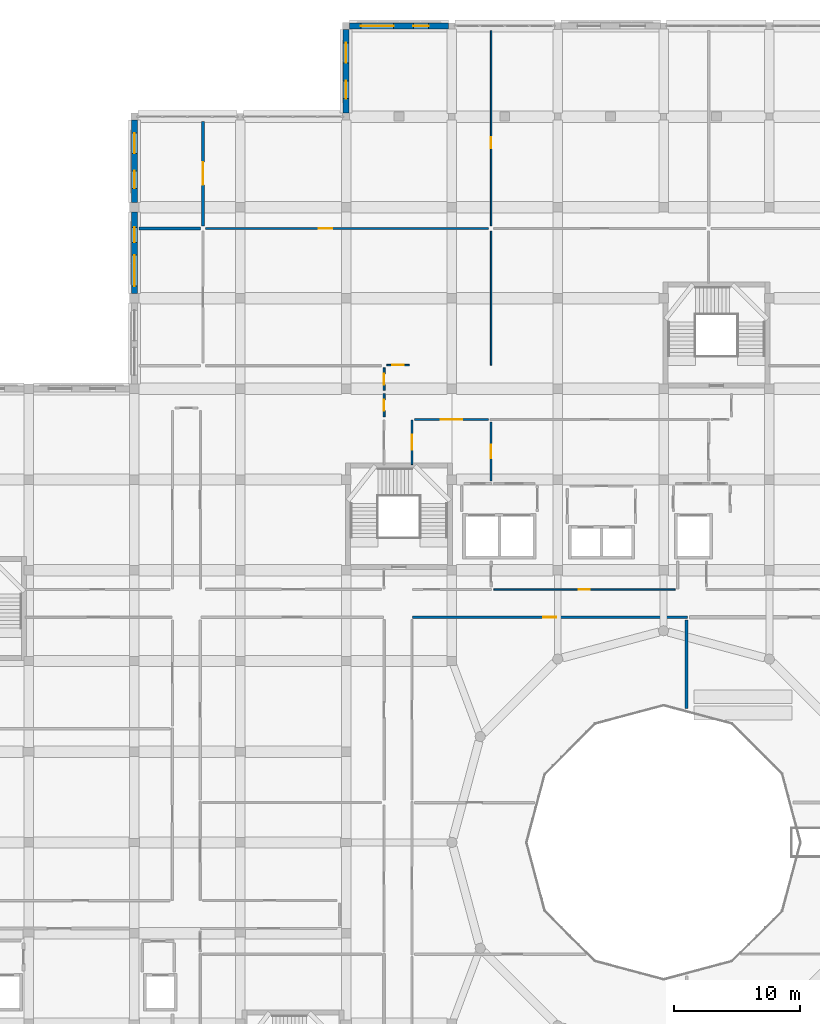
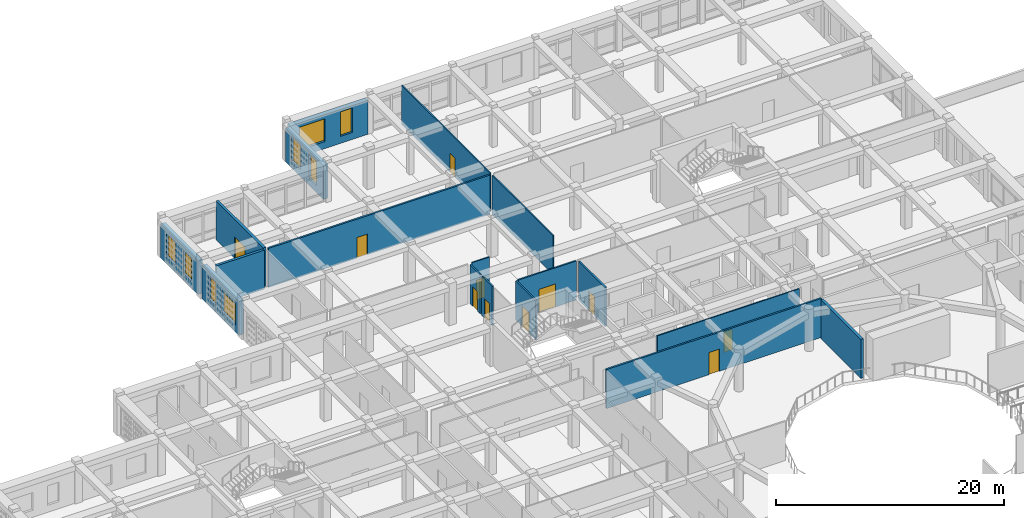
# One storey, part 82 of 121: 18 walls, 11 doors, 8 windows, 19 openings.
"""IFC4 building model written with IfcOpenShell, lengths in metres."""

from ifc_helpers import new_model, si_unit, derived_unit, direction, frame, frame_2d, origin, place, context, subcontext, project, spatial, rectangle, extrude, material, layer, layer_set, type_object, element, fill, save


model = new_model("IFC4")

# Units and contexts
model_context = context("Model", 3, precision=1e-05, world=origin(), true_north=direction((0.0, 1.0)))
body_context = subcontext(model_context, "Body", "Model", "MODEL_VIEW")
ifc_project = project(units=[si_unit("LENGTHUNIT", "METRE"), si_unit("AREAUNIT", "SQUARE_METRE"), si_unit("VOLUMEUNIT", "CUBIC_METRE"), si_unit("PLANEANGLEUNIT", "RADIAN"), si_unit("MASSUNIT", "GRAM", prefix="KILO"), derived_unit("THERMALTRANSMITTANCEUNIT", [(si_unit("POWERUNIT", "WATT"), 1), (si_unit("LENGTHUNIT", "METRE"), -2), (si_unit("THERMODYNAMICTEMPERATUREUNIT", "KELVIN"), -1)])], contexts=[model_context])

# Site, building, storey
site_placement = place(None, origin())
site = spatial("IfcSite", under=ifc_project, at=site_placement, CompositionType="ELEMENT")
building_placement = place(site_placement, origin())
building = spatial("IfcBuilding", under=site, at=building_placement, Name="Veybourne Emporium", CompositionType="ELEMENT")
storey_placement = place(building_placement, frame((0.0, 0.0, 5.39990234375)))
storey = spatial("IfcBuildingStorey", under=building, at=storey_placement, Name="L01", CompositionType="ELEMENT", Elevation=5.39990234375)

# Wall, openings, windows
ifc_material_1 = material(Name="Portland Limestone Ashlar", Category="masonry")
ifc_layer_1 = layer(ifc_material_1, 0.47998046875)
ifc_layer_set_1 = layer_set([ifc_layer_1], Name="Portland Limestone Ashlar")
wall_type_1 = type_object("IfcWallType", Name="ExtWall_EW-01", PredefinedType="SOLIDWALL", material=ifc_layer_set_1)
wall_1_placement = place(storey_placement, frame((33.60009765625, 93.97509765625, 0.0), z_axis=(0.0, 0.0, 1.0), x_axis=(0.0, 1.0, 0.0)))
wall_1 = element("IfcWall", 1, at=wall_1_placement, inside=storey, type_object=wall_type_1, Name="L01 Portland stone external wall 023", PredefinedType="SOLIDWALL", context=body_context, shape_type="SweptSolid", body=[
    extrude(rectangle(XDim=6.449951171875, YDim=0.47998046875, at=frame_2d((3.22509765625, 0.0))), origin(), (0.0, 0.0, 1.0), 3.630126953125),
])
opening_1_placement = place(wall_1_placement, frame((0.5810546875, 0.0, 0.75)))
opening_1 = element("IfcOpeningElement", 2, at=opening_1_placement, cuts=wall_1, Name="Opening W-24", PredefinedType="OPENING", context=body_context, shape_type="SweptSolid", body=[
    extrude(rectangle(XDim=2.449951171875, YDim=2.260009765625, at=frame_2d((1.22509765625, 1.1298828125))), frame((0.0, 0.260009765625, 0.0), z_axis=(0.0, -1.0, 0.0), x_axis=(1.0, 0.0, 0.0)), (0.0, 0.0, 1.0), 0.52001953125),
])
opening_2_placement = place(wall_1_placement, frame((4.0439453125, 0.0, 0.75)))
opening_2 = element("IfcOpeningElement", 3, at=opening_2_placement, cuts=wall_1, Name="Opening W-25", PredefinedType="OPENING", context=body_context, shape_type="SweptSolid", body=[
    extrude(rectangle(XDim=1.199951171875, YDim=2.43994140625, at=frame_2d((0.60009765625, 1.219970703125))), frame((0.0, 0.260009765625, 0.0), z_axis=(0.0, -1.0, 0.0), x_axis=(1.0, 0.0, 0.0)), (0.0, 0.0, 1.0), 0.52001953125),
])
ifc_material_2 = material(Name="Low-E Triple Glazing", Category="glass")
window_type_1 = type_object("IfcWindowType", Name="Win_W-24", PartitioningType="TRIPLE_PANEL_VERTICAL", PredefinedType="WINDOW", material=ifc_material_2)
window_1_placement = place(opening_1_placement, origin())
window_1 = element("IfcWindow", 4, at=window_1_placement, inside=storey, type_object=window_type_1, Name="L01 tripartite bronze casement window W-24 (23.1)", OverallHeight=2.260009765625, OverallWidth=2.449951171875, PartitioningType="TRIPLE_PANEL_VERTICAL", PredefinedType="WINDOW", context=body_context, shape_type="SweptSolid", body=[
    extrude(rectangle(XDim=2.449951171875, YDim=2.260009765625, at=frame_2d((1.22509765625, 1.1298828125))), frame((0.0, 0.030029296875, 0.0), z_axis=(0.0, -1.0, 0.0), x_axis=(1.0, 0.0, 0.0)), (0.0, 0.0, 1.0), 0.06005859375),
])
fill(opening_1, window_1)
window_type_2 = type_object("IfcWindowType", Name="Win_W-25", PartitioningType="SINGLE_PANEL", PredefinedType="WINDOW", material=ifc_material_2)
window_2_placement = place(opening_2_placement, origin())
window_2 = element("IfcWindow", 5, at=window_2_placement, inside=storey, type_object=window_type_2, Name="L01 tripartite bronze casement window W-25 (23.2)", OverallHeight=2.43994140625, OverallWidth=1.199951171875, PartitioningType="SINGLE_PANEL", PredefinedType="WINDOW", context=body_context, shape_type="SweptSolid", body=[
    extrude(rectangle(XDim=1.199951171875, YDim=2.43994140625, at=frame_2d((0.60009765625, 1.219970703125))), frame((0.0, 0.030029296875, 0.0), z_axis=(0.0, -1.0, 0.0), x_axis=(1.0, 0.0, 0.0)), (0.0, 0.0, 1.0), 0.06005859375),
])
fill(opening_2, window_2)

wall_2_placement = place(storey_placement, frame((33.60009765625, 101.175048828125, 0.0), z_axis=(0.0, 0.0, 1.0), x_axis=(0.0, 1.0, 0.0)))
wall_2 = element("IfcWall", 6, at=wall_2_placement, inside=storey, type_object=wall_type_1, Name="L01 Portland stone external wall 025", PredefinedType="SOLIDWALL", context=body_context, shape_type="SweptSolid", body=[
    extrude(rectangle(XDim=6.550048828125, YDim=0.47998046875, at=frame_2d((3.27490234375, 0.0))), origin(), (0.0, 0.0, 1.0), 3.630126953125),
])
opening_3_placement = place(wall_2_placement, frame((1.134033203125, 0.0, 0.75)))
opening_3 = element("IfcOpeningElement", 7, at=opening_3_placement, cuts=wall_2, Name="Opening W-26", PredefinedType="OPENING", context=body_context, shape_type="SweptSolid", body=[
    extrude(rectangle(XDim=1.39990234375, YDim=2.43994140625, at=frame_2d((0.699951171875, 1.219970703125))), frame((0.0, 0.260009765625, 0.0), z_axis=(0.0, -1.0, 0.0), x_axis=(1.0, 0.0, 0.0)), (0.0, 0.0, 1.0), 0.52001953125),
])
opening_4_placement = place(wall_2_placement, frame((3.916015625, 0.0, 0.75)))
opening_4 = element("IfcOpeningElement", 8, at=opening_4_placement, cuts=wall_2, Name="Opening W-27", PredefinedType="OPENING", context=body_context, shape_type="SweptSolid", body=[
    extrude(rectangle(XDim=1.60009765625, YDim=2.43994140625, at=frame_2d((0.800048828125, 1.219970703125))), frame((0.0, 0.260009765625, 0.0), z_axis=(0.0, -1.0, 0.0), x_axis=(1.0, 0.0, 0.0)), (0.0, 0.0, 1.0), 0.52001953125),
])
window_type_3 = type_object("IfcWindowType", Name="Win_W-26", PartitioningType="DOUBLE_PANEL_VERTICAL", PredefinedType="WINDOW", material=ifc_material_2)
window_3_placement = place(opening_3_placement, origin())
window_3 = element("IfcWindow", 9, at=window_3_placement, inside=storey, type_object=window_type_3, Name="L01 tripartite bronze casement window W-26 (25.1)", OverallHeight=2.43994140625, OverallWidth=1.39990234375, PartitioningType="DOUBLE_PANEL_VERTICAL", PredefinedType="WINDOW", context=body_context, shape_type="SweptSolid", body=[
    extrude(rectangle(XDim=1.39990234375, YDim=2.43994140625, at=frame_2d((0.699951171875, 1.219970703125))), frame((0.0, 0.030029296875, 0.0), z_axis=(0.0, -1.0, 0.0), x_axis=(1.0, 0.0, 0.0)), (0.0, 0.0, 1.0), 0.06005859375),
])
fill(opening_3, window_3)
window_type_4 = type_object("IfcWindowType", Name="Win_W-27", PartitioningType="DOUBLE_PANEL_VERTICAL", PredefinedType="WINDOW", material=ifc_material_2)
window_4_placement = place(opening_4_placement, origin())
window_4 = element("IfcWindow", 10, at=window_4_placement, inside=storey, type_object=window_type_4, Name="L01 tripartite bronze casement window W-27 (25.2)", OverallHeight=2.43994140625, OverallWidth=1.60009765625, PartitioningType="DOUBLE_PANEL_VERTICAL", PredefinedType="WINDOW", context=body_context, shape_type="SweptSolid", body=[
    extrude(rectangle(XDim=1.60009765625, YDim=2.43994140625, at=frame_2d((0.800048828125, 1.219970703125))), frame((0.0, 0.030029296875, 0.0), z_axis=(0.0, -1.0, 0.0), x_axis=(1.0, 0.0, 0.0)), (0.0, 0.0, 1.0), 0.06005859375),
])
fill(opening_4, window_4)

wall_3_placement = place(storey_placement, frame((50.675048828125, 115.199951171875, 0.0), z_axis=(0.0, 0.0, 1.0), x_axis=(1.0, 0.0, 0.0)))
wall_3 = element("IfcWall", 11, at=wall_3_placement, inside=storey, type_object=wall_type_1, Name="L01 Portland stone external wall 031", PredefinedType="SOLIDWALL", context=body_context, shape_type="SweptSolid", body=[
    extrude(rectangle(XDim=7.875, YDim=0.47998046875, at=frame_2d((3.9375, 0.0))), origin(), (0.0, 0.0, 1.0), 3.630126953125),
])
opening_5_placement = place(wall_3_placement, frame((0.905029296875, 0.0, 0.75)))
opening_5 = element("IfcOpeningElement", 12, at=opening_5_placement, cuts=wall_3, Name="Opening W-32", PredefinedType="OPENING", context=body_context, shape_type="SweptSolid", body=[
    extrude(rectangle(XDim=2.60009765625, YDim=2.43994140625, at=frame_2d((1.300048828125, 1.219970703125))), frame((0.0, 0.260009765625, 0.0), z_axis=(0.0, -1.0, 0.0), x_axis=(1.0, 0.0, 0.0)), (0.0, 0.0, 1.0), 0.52001953125),
])
opening_6_placement = place(wall_3_placement, frame((5.070068359375, 0.0, 0.75)))
opening_6 = element("IfcOpeningElement", 13, at=opening_6_placement, cuts=wall_3, Name="Opening W-33", PredefinedType="OPENING", context=body_context, shape_type="SweptSolid", body=[
    extrude(rectangle(XDim=1.199951171875, YDim=2.6201171875, at=frame_2d((0.60009765625, 1.31005859375))), frame((0.0, 0.260009765625, 0.0), z_axis=(0.0, -1.0, 0.0), x_axis=(1.0, 0.0, 0.0)), (0.0, 0.0, 1.0), 0.52001953125),
])
window_type_5 = type_object("IfcWindowType", Name="Win_W-32", PartitioningType="TRIPLE_PANEL_VERTICAL", PredefinedType="WINDOW", material=ifc_material_2)
window_5_placement = place(opening_5_placement, origin())
window_5 = element("IfcWindow", 14, at=window_5_placement, inside=storey, type_object=window_type_5, Name="L01 tripartite bronze casement window W-32 (31.1)", OverallHeight=2.43994140625, OverallWidth=2.60009765625, PartitioningType="TRIPLE_PANEL_VERTICAL", PredefinedType="WINDOW", context=body_context, shape_type="SweptSolid", body=[
    extrude(rectangle(XDim=2.60009765625, YDim=2.43994140625, at=frame_2d((1.300048828125, 1.219970703125))), frame((0.0, 0.030029296875, 0.0), z_axis=(0.0, -1.0, 0.0), x_axis=(1.0, 0.0, 0.0)), (0.0, 0.0, 1.0), 0.06005859375),
])
fill(opening_5, window_5)
window_type_6 = type_object("IfcWindowType", Name="Win_W-33", PartitioningType="SINGLE_PANEL", PredefinedType="WINDOW", material=ifc_material_2)
window_6_placement = place(opening_6_placement, origin())
window_6 = element("IfcWindow", 15, at=window_6_placement, inside=storey, type_object=window_type_6, Name="L01 tripartite bronze casement window W-33 (31.2)", OverallHeight=2.6201171875, OverallWidth=1.199951171875, PartitioningType="SINGLE_PANEL", PredefinedType="WINDOW", context=body_context, shape_type="SweptSolid", body=[
    extrude(rectangle(XDim=1.199951171875, YDim=2.6201171875, at=frame_2d((0.60009765625, 1.31005859375))), frame((0.0, 0.030029296875, 0.0), z_axis=(0.0, -1.0, 0.0), x_axis=(1.0, 0.0, 0.0)), (0.0, 0.0, 1.0), 0.06005859375),
])
fill(opening_6, window_6)

wall_4_placement = place(storey_placement, frame((50.39990234375, 108.27490234375, 0.0), z_axis=(0.0, 0.0, 1.0), x_axis=(0.0, 1.0, 0.0)))
wall_4 = element("IfcWall", 16, at=wall_4_placement, inside=storey, type_object=wall_type_1, Name="L01 Portland stone external wall 032", PredefinedType="SOLIDWALL", context=body_context, shape_type="SweptSolid", body=[
    extrude(rectangle(XDim=6.650146484375, YDim=0.47998046875, at=frame_2d((3.3251953125, 0.0))), origin(), (0.0, 0.0, 1.0), 3.630126953125),
])
opening_7_placement = place(wall_4_placement, frame((1.162109375, 0.0, 0.75)))
opening_7 = element("IfcOpeningElement", 17, at=opening_7_placement, cuts=wall_4, Name="Opening W-34", PredefinedType="OPENING", context=body_context, shape_type="SweptSolid", body=[
    extrude(rectangle(XDim=1.39990234375, YDim=2.6201171875, at=frame_2d((0.699951171875, 1.31005859375))), frame((0.0, 0.260009765625, 0.0), z_axis=(0.0, -1.0, 0.0), x_axis=(1.0, 0.0, 0.0)), (0.0, 0.0, 1.0), 0.52001953125),
])
opening_8_placement = place(wall_4_placement, frame((3.988037109375, 0.0, 0.75)))
opening_8 = element("IfcOpeningElement", 18, at=opening_8_placement, cuts=wall_4, Name="Opening W-35", PredefinedType="OPENING", context=body_context, shape_type="SweptSolid", body=[
    extrude(rectangle(XDim=1.60009765625, YDim=2.6201171875, at=frame_2d((0.800048828125, 1.31005859375))), frame((0.0, 0.260009765625, 0.0), z_axis=(0.0, -1.0, 0.0), x_axis=(1.0, 0.0, 0.0)), (0.0, 0.0, 1.0), 0.52001953125),
])
window_type_7 = type_object("IfcWindowType", Name="Win_W-34", PartitioningType="DOUBLE_PANEL_VERTICAL", PredefinedType="WINDOW", material=ifc_material_2)
window_7_placement = place(opening_7_placement, origin())
window_7 = element("IfcWindow", 19, at=window_7_placement, inside=storey, type_object=window_type_7, Name="L01 tripartite bronze casement window W-34 (32.1)", OverallHeight=2.6201171875, OverallWidth=1.39990234375, PartitioningType="DOUBLE_PANEL_VERTICAL", PredefinedType="WINDOW", context=body_context, shape_type="SweptSolid", body=[
    extrude(rectangle(XDim=1.39990234375, YDim=2.6201171875, at=frame_2d((0.699951171875, 1.31005859375))), frame((0.0, 0.030029296875, 0.0), z_axis=(0.0, -1.0, 0.0), x_axis=(1.0, 0.0, 0.0)), (0.0, 0.0, 1.0), 0.06005859375),
])
fill(opening_7, window_7)
window_type_8 = type_object("IfcWindowType", Name="Win_W-35", PartitioningType="DOUBLE_PANEL_VERTICAL", PredefinedType="WINDOW", material=ifc_material_2)
window_8_placement = place(opening_8_placement, origin())
window_8 = element("IfcWindow", 20, at=window_8_placement, inside=storey, type_object=window_type_8, Name="L01 tripartite bronze casement window W-35 (32.2)", OverallHeight=2.6201171875, OverallWidth=1.60009765625, PartitioningType="DOUBLE_PANEL_VERTICAL", PredefinedType="WINDOW", context=body_context, shape_type="SweptSolid", body=[
    extrude(rectangle(XDim=1.60009765625, YDim=2.6201171875, at=frame_2d((0.800048828125, 1.31005859375))), frame((0.0, 0.030029296875, 0.0), z_axis=(0.0, -1.0, 0.0), x_axis=(1.0, 0.0, 0.0)), (0.0, 0.0, 1.0), 0.06005859375),
])
fill(opening_8, window_8)

# Wall, opening, door
ifc_material_3 = material(Name="Concrete C32/40", Category="concrete")
ifc_layer_2 = layer(ifc_material_3, 0.25)
ifc_layer_set_2 = layer_set([ifc_layer_2], Name="Concrete C32/40")
wall_type_2 = type_object("IfcWallType", Name="IntWall_FW-01", PredefinedType="SOLIDWALL", material=ifc_layer_set_2)
wall_5_placement = place(storey_placement, frame((39.048095703125, 99.340087890625, 0.0), z_axis=(0.0, 0.0, 1.0), x_axis=(0.0, 1.0, 0.0)))
wall_5 = element("IfcWall", 21, at=wall_5_placement, inside=storey, type_object=wall_type_2, Name="L01 interior partition FW-01 #186", PredefinedType="SOLIDWALL", context=body_context, shape_type="SweptSolid", body=[
    extrude(rectangle(XDim=8.289794921875, YDim=0.25, at=frame_2d((4.14501953125, 0.0))), origin(), (0.0, 0.0, 1.0), 4.18017578125),
])
opening_9_placement = place(wall_5_placement, frame((3.2451171875, 0.0, 0.0)))
opening_9 = element("IfcOpeningElement", 22, at=opening_9_placement, cuts=wall_5, Name="Opening FD-03", PredefinedType="OPENING", context=body_context, shape_type="SweptSolid", body=[
    extrude(rectangle(XDim=1.800048828125, YDim=2.300048828125, at=frame_2d((0.89990234375, 1.14990234375))), frame((0.0, 0.14501953125, 0.0), z_axis=(0.0, -1.0, 0.0), x_axis=(1.0, 0.0, 0.0)), (0.0, 0.0, 1.0), 0.2900390625),
])
ifc_material_4 = material(Name="Patinated Architectural Bronze", Category="bronze")
door_type_1 = type_object("IfcDoorType", Name="FireDoor_FD-03", OperationType="DOUBLE_DOOR_SINGLE_SWING", PredefinedType="DOOR", material=ifc_material_4)
door_1_placement = place(opening_9_placement, origin())
door_1 = element("IfcDoor", 23, at=door_1_placement, inside=storey, type_object=door_type_1, Name="L01 interior door FD-03 (PART-L01-186)", OperationType="DOUBLE_DOOR_SINGLE_SWING", OverallHeight=2.300048828125, OverallWidth=1.800048828125, PredefinedType="DOOR", context=body_context, shape_type="SweptSolid", body=[
    extrude(rectangle(XDim=1.800048828125, YDim=2.300048828125, at=frame_2d((0.89990234375, 1.14990234375))), frame((0.0, 0.02490234375, 0.0), z_axis=(0.0, -1.0, 0.0), x_axis=(1.0, 0.0, 0.0)), (0.0, 0.0, 1.0), 0.050048828125),
])
fill(opening_9, door_1)

# Walls
wall_6_placement = place(storey_placement, frame((77.429931640625, 61.01611328125, 0.0), z_axis=(0.0, 0.0, 1.0), x_axis=(0.0, 1.0, 0.0)))
element("IfcWall", 24, at=wall_6_placement, inside=storey, type_object=wall_type_2, Name="L01 interior partition FW-01 #188", PredefinedType="SOLIDWALL", context=body_context, shape_type="SweptSolid", body=[
    extrude(rectangle(XDim=7.0439453125, YDim=0.25, at=frame_2d((3.52197265625, 0.0))), origin(), (0.0, 0.0, 1.0), 4.18017578125),
])
wall_7_placement = place(storey_placement, frame((33.969970703125, 99.1298828125, 0.0), z_axis=(0.0, 0.0, 1.0), x_axis=(1.0, 0.0, 0.0)))
element("IfcWall", 25, at=wall_7_placement, inside=storey, type_object=wall_type_2, Name="L01 interior partition FW-01 #194", PredefinedType="SOLIDWALL", context=body_context, shape_type="SweptSolid", body=[
    extrude(rectangle(XDim=4.867919921875, YDim=0.25, at=frame_2d((2.43408203125, 0.0))), origin(), (0.0, 0.0, 1.0), 4.18017578125),
])

# Wall, opening, door
ifc_material_5 = material(Name="Gypsum Acoustic Board", Category="gypsum")
ifc_layer_3 = layer(ifc_material_5, 0.179931640625)
ifc_layer_set_3 = layer_set([ifc_layer_3], Name="Gypsum Acoustic Board")
wall_type_3 = type_object("IfcWallType", Name="IntWall_IW-01", PredefinedType="PARTITIONING", material=ifc_layer_set_3)
wall_8_placement = place(storey_placement, frame((55.679931640625, 68.27001953125, 0.0), z_axis=(0.0, 0.0, 1.0), x_axis=(1.0, 0.0, 0.0)))
wall_8 = element("IfcWall", 26, at=wall_8_placement, inside=storey, type_object=wall_type_3, Name="L01 interior partition IW-01 #001", PredefinedType="PARTITIONING", context=body_context, shape_type="SweptSolid", body=[
    extrude(rectangle(XDim=21.800048828125, YDim=0.179931640625, at=frame_2d((10.89990234375, 0.0))), origin(), (0.0, 0.0, 1.0), 4.18017578125),
])
opening_10_placement = place(wall_8_placement, frame((10.3798828125, 0.0, 0.0)))
opening_10 = element("IfcOpeningElement", 27, at=opening_10_placement, cuts=wall_8, Name="Opening D-26", PredefinedType="OPENING", context=body_context, shape_type="SweptSolid", body=[
    extrude(rectangle(XDim=1.0400390625, YDim=2.3701171875, at=frame_2d((0.52001953125, 1.18505859375))), frame((0.0, 0.10986328125, 0.0), z_axis=(0.0, -1.0, 0.0), x_axis=(1.0, 0.0, 0.0)), (0.0, 0.0, 1.0), 0.219970703125),
])
ifc_material_6 = material(Name="European Oak Veneer and Bronze", Category="wood")
door_type_2 = type_object("IfcDoorType", Name="IntDoor_D-26", OperationType="NOTDEFINED", PredefinedType="DOOR", material=ifc_material_6)
door_2_placement = place(opening_10_placement, origin())
door_2 = element("IfcDoor", 28, at=door_2_placement, inside=storey, type_object=door_type_2, Name="L01 interior door D-26 (PART-L01-001)", OperationType="SINGLE_SWING_LEFT", OverallHeight=2.3701171875, OverallWidth=1.0400390625, PredefinedType="DOOR", context=body_context, shape_type="SweptSolid", body=[
    extrude(rectangle(XDim=1.0400390625, YDim=2.3701171875, at=frame_2d((0.52001953125, 1.18505859375))), frame((0.0, 0.02490234375, 0.0), z_axis=(0.0, -1.0, 0.0), x_axis=(1.0, 0.0, 0.0)), (0.0, 0.0, 1.0), 0.050048828125),
])
fill(opening_10, door_2)

wall_9_placement = place(storey_placement, frame((61.912109375, 79.090087890625, 0.0), z_axis=(0.0, 0.0, 1.0), x_axis=(0.0, 1.0, 0.0)))
wall_9 = element("IfcWall", 29, at=wall_9_placement, inside=storey, type_object=wall_type_3, Name="L01 interior partition IW-01 #091", PredefinedType="PARTITIONING", context=body_context, shape_type="SweptSolid", body=[
    extrude(rectangle(XDim=4.669921875, YDim=0.179931640625, at=frame_2d((2.3349609375, 0.0))), origin(), (0.0, 0.0, 1.0), 4.18017578125),
])
opening_11_placement = place(wall_9_placement, frame((1.81494140625, 0.0, 0.0)))
opening_11 = element("IfcOpeningElement", 30, at=opening_11_placement, cuts=wall_9, Name="Opening D-08", PredefinedType="OPENING", context=body_context, shape_type="SweptSolid", body=[
    extrude(rectangle(XDim=1.0400390625, YDim=2.1298828125, at=frame_2d((0.52001953125, 1.06494140625))), frame((0.0, 0.10986328125, 0.0), z_axis=(0.0, -1.0, 0.0), x_axis=(1.0, 0.0, 0.0)), (0.0, 0.0, 1.0), 0.219970703125),
])
door_type_3 = type_object("IfcDoorType", Name="IntDoor_D-08", OperationType="NOTDEFINED", PredefinedType="DOOR", material=ifc_material_6)
door_3_placement = place(opening_11_placement, origin())
door_3 = element("IfcDoor", 31, at=door_3_placement, inside=storey, type_object=door_type_3, Name="L01 interior door D-08 (PART-L01-091)", OperationType="SINGLE_SWING_RIGHT", OverallHeight=2.1298828125, OverallWidth=1.0400390625, PredefinedType="DOOR", context=body_context, shape_type="SweptSolid", body=[
    extrude(rectangle(XDim=1.0400390625, YDim=2.1298828125, at=frame_2d((0.52001953125, 1.06494140625))), frame((0.0, 0.02490234375, 0.0), z_axis=(0.0, -1.0, 0.0), x_axis=(1.0, 0.0, 0.0)), (0.0, 0.0, 1.0), 0.050048828125),
])
fill(opening_11, door_3)

wall_10_placement = place(storey_placement, frame((39.258056640625, 99.1298828125, 0.0), z_axis=(0.0, 0.0, 1.0), x_axis=(1.0, 0.0, 0.0)))
wall_10 = element("IfcWall", 32, at=wall_10_placement, inside=storey, type_object=wall_type_3, Name="L01 interior partition IW-01 #169", PredefinedType="PARTITIONING", context=body_context, shape_type="SweptSolid", body=[
    extrude(rectangle(XDim=22.44384765625, YDim=0.179931640625, at=frame_2d((11.221923828125, 0.0))), origin(), (0.0, 0.0, 1.0), 4.18017578125),
])
opening_12_placement = place(wall_10_placement, frame((8.98974609375, 0.0, 0.0)))
opening_12 = element("IfcOpeningElement", 33, at=opening_12_placement, cuts=wall_10, Name="Opening D-14", PredefinedType="OPENING", context=body_context, shape_type="SweptSolid", body=[
    extrude(rectangle(XDim=1.0400390625, YDim=2.2099609375, at=frame_2d((0.52001953125, 1.10498046875))), frame((0.0, 0.10986328125, 0.0), z_axis=(0.0, -1.0, 0.0), x_axis=(1.0, 0.0, 0.0)), (0.0, 0.0, 1.0), 0.219970703125),
])
door_type_4 = type_object("IfcDoorType", Name="IntDoor_D-14", OperationType="NOTDEFINED", PredefinedType="DOOR", material=ifc_material_6)
door_4_placement = place(opening_12_placement, origin())
door_4 = element("IfcDoor", 34, at=door_4_placement, inside=storey, type_object=door_type_4, Name="L01 interior door D-14 (PART-L01-169)", OperationType="SINGLE_SWING_LEFT", OverallHeight=2.2099609375, OverallWidth=1.0400390625, PredefinedType="DOOR", context=body_context, shape_type="SweptSolid", body=[
    extrude(rectangle(XDim=1.0400390625, YDim=2.2099609375, at=frame_2d((0.52001953125, 1.10498046875))), frame((0.0, 0.02490234375, 0.0), z_axis=(0.0, -1.0, 0.0), x_axis=(1.0, 0.0, 0.0)), (0.0, 0.0, 1.0), 0.050048828125),
])
fill(opening_12, door_4)

ifc_layer_4 = layer(ifc_material_5, 0.14990234375)
ifc_layer_set_4 = layer_set([ifc_layer_4], Name="Gypsum Acoustic Board")
wall_type_4 = type_object("IfcWallType", Name="IntWall_IW-02", PredefinedType="PARTITIONING", material=ifc_layer_set_4)
wall_11_placement = place(storey_placement, frame((55.840087890625, 83.969970703125, 0.0), z_axis=(0.0, 0.0, 1.0), x_axis=(1.0, 0.0, 0.0)))
wall_11 = element("IfcWall", 35, at=wall_11_placement, inside=storey, type_object=wall_type_4, Name="L01 interior partition IW-02 #083", PredefinedType="PARTITIONING", context=body_context, shape_type="SweptSolid", body=[
    extrude(rectangle(XDim=5.86181640625, YDim=0.14990234375, at=frame_2d((2.930908203125, 0.0))), origin(), (0.0, 0.0, 1.0), 4.18017578125),
])
opening_13_placement = place(wall_11_placement, frame((2.091064453125, 0.0, 0.0)))
opening_13 = element("IfcOpeningElement", 36, at=opening_13_placement, cuts=wall_11, Name="Opening D-36", PredefinedType="OPENING", context=body_context, shape_type="SweptSolid", body=[
    extrude(rectangle(XDim=1.679931640625, YDim=2.449951171875, at=frame_2d((0.83984375, 1.22509765625))), frame((0.0, 0.094970703125, 0.0), z_axis=(0.0, -1.0, 0.0), x_axis=(1.0, 0.0, 0.0)), (0.0, 0.0, 1.0), 0.18994140625),
])
door_type_5 = type_object("IfcDoorType", Name="IntDoor_D-36", OperationType="DOUBLE_DOOR_SINGLE_SWING", PredefinedType="DOOR", material=ifc_material_6)
door_5_placement = place(opening_13_placement, origin())
door_5 = element("IfcDoor", 37, at=door_5_placement, inside=storey, type_object=door_type_5, Name="L01 interior door D-36 (PART-L01-083)", OperationType="DOUBLE_DOOR_SINGLE_SWING", OverallHeight=2.449951171875, OverallWidth=1.679931640625, PredefinedType="DOOR", context=body_context, shape_type="SweptSolid", body=[
    extrude(rectangle(XDim=1.679931640625, YDim=2.449951171875, at=frame_2d((0.83984375, 1.22509765625))), frame((0.0, 0.02490234375, 0.0), z_axis=(0.0, -1.0, 0.0), x_axis=(1.0, 0.0, 0.0)), (0.0, 0.0, 1.0), 0.050048828125),
])
fill(opening_13, door_5)

wall_12_placement = place(storey_placement, frame((55.6298828125, 80.389892578125, 0.0), z_axis=(0.0, 0.0, 1.0), x_axis=(0.0, 1.0, 0.0)))
wall_12 = element("IfcWall", 38, at=wall_12_placement, inside=storey, type_object=wall_type_4, Name="L01 interior partition IW-02 #098", PredefinedType="PARTITIONING", context=body_context, shape_type="SweptSolid", body=[
    extrude(rectangle(XDim=3.530029296875, YDim=0.14990234375, at=frame_2d((1.76513671875, 0.0))), origin(), (0.0, 0.0, 1.0), 4.18017578125),
])
opening_14_placement = place(wall_12_placement, frame((1.1650390625, 0.0, 0.0)))
opening_14 = element("IfcOpeningElement", 39, at=opening_14_placement, cuts=wall_12, Name="Opening D-15", PredefinedType="OPENING", context=body_context, shape_type="SweptSolid", body=[
    extrude(rectangle(XDim=1.199951171875, YDim=2.2099609375, at=frame_2d((0.60009765625, 1.10498046875))), frame((0.0, 0.094970703125, 0.0), z_axis=(0.0, -1.0, 0.0), x_axis=(1.0, 0.0, 0.0)), (0.0, 0.0, 1.0), 0.18994140625),
])
door_type_6 = type_object("IfcDoorType", Name="IntDoor_D-15", OperationType="NOTDEFINED", PredefinedType="DOOR", material=ifc_material_6)
door_6_placement = place(opening_14_placement, origin())
door_6 = element("IfcDoor", 40, at=door_6_placement, inside=storey, type_object=door_type_6, Name="L01 interior door D-15 (PART-L01-098)", OperationType="SINGLE_SWING_RIGHT", OverallHeight=2.2099609375, OverallWidth=1.199951171875, PredefinedType="DOOR", context=body_context, shape_type="SweptSolid", body=[
    extrude(rectangle(XDim=1.199951171875, YDim=2.2099609375, at=frame_2d((0.60009765625, 1.10498046875))), frame((0.0, 0.02490234375, 0.0), z_axis=(0.0, -1.0, 0.0), x_axis=(1.0, 0.0, 0.0)), (0.0, 0.0, 1.0), 0.050048828125),
])
fill(opening_14, door_6)

wall_13_placement = place(storey_placement, frame((53.419921875, 84.179931640625, 0.0), z_axis=(0.0, 0.0, 1.0), x_axis=(0.0, 1.0, 0.0)))
wall_13 = element("IfcWall", 41, at=wall_13_placement, inside=storey, type_object=wall_type_4, Name="L01 interior partition IW-02 #143", PredefinedType="PARTITIONING", context=body_context, shape_type="SweptSolid", body=[
    extrude(rectangle(XDim=1.840087890625, YDim=0.14990234375, at=frame_2d((0.919921875, 0.0))), origin(), (0.0, 0.0, 1.0), 4.18017578125),
])
opening_15_placement = place(wall_13_placement, frame((0.47998046875, 0.0, 0.0)))
opening_15 = element("IfcOpeningElement", 42, at=opening_15_placement, cuts=wall_13, Name="Opening D-01", PredefinedType="OPENING", context=body_context, shape_type="SweptSolid", body=[
    extrude(rectangle(XDim=0.8798828125, YDim=2.050048828125, at=frame_2d((0.43994140625, 1.02490234375))), frame((0.0, 0.094970703125, 0.0), z_axis=(0.0, -1.0, 0.0), x_axis=(1.0, 0.0, 0.0)), (0.0, 0.0, 1.0), 0.18994140625),
])
door_type_7 = type_object("IfcDoorType", Name="IntDoor_D-01", OperationType="NOTDEFINED", PredefinedType="DOOR", material=ifc_material_6)
door_7_placement = place(opening_15_placement, origin())
door_7 = element("IfcDoor", 43, at=door_7_placement, inside=storey, type_object=door_type_7, Name="L01 interior door D-01 (PART-L01-143)", OperationType="SINGLE_SWING_LEFT", OverallHeight=2.050048828125, OverallWidth=0.8798828125, PredefinedType="DOOR", context=body_context, shape_type="SweptSolid", body=[
    extrude(rectangle(XDim=0.8798828125, YDim=2.050048828125, at=frame_2d((0.43994140625, 1.02490234375))), frame((0.0, 0.02490234375, 0.0), z_axis=(0.0, -1.0, 0.0), x_axis=(1.0, 0.0, 0.0)), (0.0, 0.0, 1.0), 0.050048828125),
])
fill(opening_15, door_7)

wall_14_placement = place(storey_placement, frame((53.419921875, 86.280029296875, 0.0), z_axis=(0.0, 0.0, 1.0), x_axis=(0.0, 1.0, 0.0)))
wall_14 = element("IfcWall", 44, at=wall_14_placement, inside=storey, type_object=wall_type_4, Name="L01 interior partition IW-02 #161", PredefinedType="PARTITIONING", context=body_context, shape_type="SweptSolid", body=[
    extrude(rectangle(XDim=1.7900390625, YDim=0.14990234375, at=frame_2d((0.89501953125, 0.0))), origin(), (0.0, 0.0, 1.0), 4.18017578125),
])
opening_16_placement = place(wall_14_placement, frame((0.455078125, 0.0, 0.0)))
opening_16 = element("IfcOpeningElement", 45, at=opening_16_placement, cuts=wall_14, Name="Opening D-01", PredefinedType="OPENING", context=body_context, shape_type="SweptSolid", body=[
    extrude(rectangle(XDim=0.8798828125, YDim=2.050048828125, at=frame_2d((0.43994140625, 1.02490234375))), frame((0.0, 0.094970703125, 0.0), z_axis=(0.0, -1.0, 0.0), x_axis=(1.0, 0.0, 0.0)), (0.0, 0.0, 1.0), 0.18994140625),
])
door_8_placement = place(opening_16_placement, origin())
door_8 = element("IfcDoor", 46, at=door_8_placement, inside=storey, type_object=door_type_7, Name="L01 interior door D-01 (PART-L01-161)", OperationType="SINGLE_SWING_RIGHT", OverallHeight=2.050048828125, OverallWidth=0.8798828125, PredefinedType="DOOR", context=body_context, shape_type="SweptSolid", body=[
    extrude(rectangle(XDim=0.8798828125, YDim=2.050048828125, at=frame_2d((0.43994140625, 1.02490234375))), frame((0.0, 0.02490234375, 0.0), z_axis=(0.0, -1.0, 0.0), x_axis=(1.0, 0.0, 0.0)), (0.0, 0.0, 1.0), 0.050048828125),
])
fill(opening_16, door_8)

ifc_layer_5 = layer(ifc_material_5, 0.1201171875)
ifc_layer_set_5 = layer_set([ifc_layer_5], Name="Gypsum Acoustic Board")
wall_type_5 = type_object("IfcWallType", Name="IntWall_IW-03", PredefinedType="PARTITIONING", material=ifc_layer_set_5)
wall_15_placement = place(storey_placement, frame((62.1220703125, 70.47998046875, 0.0), z_axis=(0.0, 0.0, 1.0), x_axis=(1.0, 0.0, 0.0)))
wall_15 = element("IfcWall", 47, at=wall_15_placement, inside=storey, type_object=wall_type_5, Name="L01 interior partition IW-03 #024", PredefinedType="PARTITIONING", context=body_context, shape_type="SweptSolid", body=[
    extrude(rectangle(XDim=14.387939453125, YDim=0.1201171875, at=frame_2d((7.19384765625, 0.0))), origin(), (0.0, 0.0, 1.0), 4.18017578125),
])
opening_17_placement = place(wall_15_placement, frame((6.75390625, 0.0, 0.0)))
opening_17 = element("IfcOpeningElement", 48, at=opening_17_placement, cuts=wall_15, Name="Opening D-13", PredefinedType="OPENING", context=body_context, shape_type="SweptSolid", body=[
    extrude(rectangle(XDim=0.8798828125, YDim=2.2099609375, at=frame_2d((0.43994140625, 1.10498046875))), frame((0.0, 0.080078125, 0.0), z_axis=(0.0, -1.0, 0.0), x_axis=(1.0, 0.0, 0.0)), (0.0, 0.0, 1.0), 0.16015625),
])
door_type_8 = type_object("IfcDoorType", Name="IntDoor_D-13", OperationType="NOTDEFINED", PredefinedType="DOOR", material=ifc_material_6)
door_9_placement = place(opening_17_placement, origin())
door_9 = element("IfcDoor", 49, at=door_9_placement, inside=storey, type_object=door_type_8, Name="L01 interior door D-13 (PART-L01-024)", OperationType="SINGLE_SWING_RIGHT", OverallHeight=2.2099609375, OverallWidth=0.8798828125, PredefinedType="DOOR", context=body_context, shape_type="SweptSolid", body=[
    extrude(rectangle(XDim=0.8798828125, YDim=2.2099609375, at=frame_2d((0.43994140625, 1.10498046875))), frame((0.0, 0.02490234375, 0.0), z_axis=(0.0, -1.0, 0.0), x_axis=(1.0, 0.0, 0.0)), (0.0, 0.0, 1.0), 0.050048828125),
])
fill(opening_17, door_9)

wall_16_placement = place(storey_placement, frame((53.6298828125, 88.280029296875, 0.0), z_axis=(0.0, 0.0, 1.0), x_axis=(1.0, 0.0, 0.0)))
wall_16 = element("IfcWall", 50, at=wall_16_placement, inside=storey, type_object=wall_type_5, Name="L01 interior partition IW-03 #162", PredefinedType="PARTITIONING", context=body_context, shape_type="SweptSolid", body=[
    extrude(rectangle(XDim=1.7900390625, YDim=0.1201171875, at=frame_2d((0.89501953125, 0.0))), origin(), (0.0, 0.0, 1.0), 4.18017578125),
])
opening_18_placement = place(wall_16_placement, frame((0.455078125, 0.0, 0.0)))
opening_18 = element("IfcOpeningElement", 51, at=opening_18_placement, cuts=wall_16, Name="Opening D-07", PredefinedType="OPENING", context=body_context, shape_type="SweptSolid", body=[
    extrude(rectangle(XDim=0.8798828125, YDim=2.1298828125, at=frame_2d((0.43994140625, 1.06494140625))), frame((0.0, 0.080078125, 0.0), z_axis=(0.0, -1.0, 0.0), x_axis=(1.0, 0.0, 0.0)), (0.0, 0.0, 1.0), 0.16015625),
])
door_type_9 = type_object("IfcDoorType", Name="IntDoor_D-07", OperationType="NOTDEFINED", PredefinedType="DOOR", material=ifc_material_6)
door_10_placement = place(opening_18_placement, origin())
door_10 = element("IfcDoor", 52, at=door_10_placement, inside=storey, type_object=door_type_9, Name="L01 interior door D-07 (PART-L01-162)", OperationType="SINGLE_SWING_LEFT", OverallHeight=2.1298828125, OverallWidth=0.8798828125, PredefinedType="DOOR", context=body_context, shape_type="SweptSolid", body=[
    extrude(rectangle(XDim=0.8798828125, YDim=2.1298828125, at=frame_2d((0.43994140625, 1.06494140625))), frame((0.0, 0.02490234375, 0.0), z_axis=(0.0, -1.0, 0.0), x_axis=(1.0, 0.0, 0.0)), (0.0, 0.0, 1.0), 0.050048828125),
])
fill(opening_18, door_10)

wall_17_placement = place(storey_placement, frame((61.912109375, 99.340087890625, 0.0), z_axis=(0.0, 0.0, 1.0), x_axis=(0.0, 1.0, 0.0)))
wall_17 = element("IfcWall", 53, at=wall_17_placement, inside=storey, type_object=wall_type_5, Name="L01 interior partition IW-03 #174", PredefinedType="PARTITIONING", context=body_context, shape_type="SweptSolid", body=[
    extrude(rectangle(XDim=15.489990234375, YDim=0.1201171875, at=frame_2d((7.7451171875, 0.0))), origin(), (0.0, 0.0, 1.0), 4.18017578125),
])
opening_19_placement = place(wall_17_placement, frame((6.13623046875, 0.0, 0.0)))
opening_19 = element("IfcOpeningElement", 54, at=opening_19_placement, cuts=wall_17, Name="Opening D-01", PredefinedType="OPENING", context=body_context, shape_type="SweptSolid", body=[
    extrude(rectangle(XDim=0.8798828125, YDim=2.050048828125, at=frame_2d((0.43994140625, 1.02490234375))), frame((0.0, 0.080078125, 0.0), z_axis=(0.0, -1.0, 0.0), x_axis=(1.0, 0.0, 0.0)), (0.0, 0.0, 1.0), 0.16015625),
])
door_11_placement = place(opening_19_placement, origin())
door_11 = element("IfcDoor", 55, at=door_11_placement, inside=storey, type_object=door_type_7, Name="L01 interior door D-01 (PART-L01-174)", OperationType="SINGLE_SWING_RIGHT", OverallHeight=2.050048828125, OverallWidth=0.8798828125, PredefinedType="DOOR", context=body_context, shape_type="SweptSolid", body=[
    extrude(rectangle(XDim=0.8798828125, YDim=2.050048828125, at=frame_2d((0.43994140625, 1.02490234375))), frame((0.0, 0.02490234375, 0.0), z_axis=(0.0, -1.0, 0.0), x_axis=(1.0, 0.0, 0.0)), (0.0, 0.0, 1.0), 0.050048828125),
])
fill(opening_19, door_11)

# Wall
wall_18_placement = place(storey_placement, frame((61.912109375, 88.280029296875, 0.0), z_axis=(0.0, 0.0, 1.0), x_axis=(0.0, 1.0, 0.0)))
element("IfcWall", 56, at=wall_18_placement, inside=storey, type_object=wall_type_5, Name="L01 interior partition IW-03 #183", PredefinedType="PARTITIONING", context=body_context, shape_type="SweptSolid", body=[
    extrude(rectangle(XDim=10.639892578125, YDim=0.1201171875, at=frame_2d((5.31982421875, 0.0))), origin(), (0.0, 0.0, 1.0), 4.18017578125),
])

save(model, "model.ifc")
